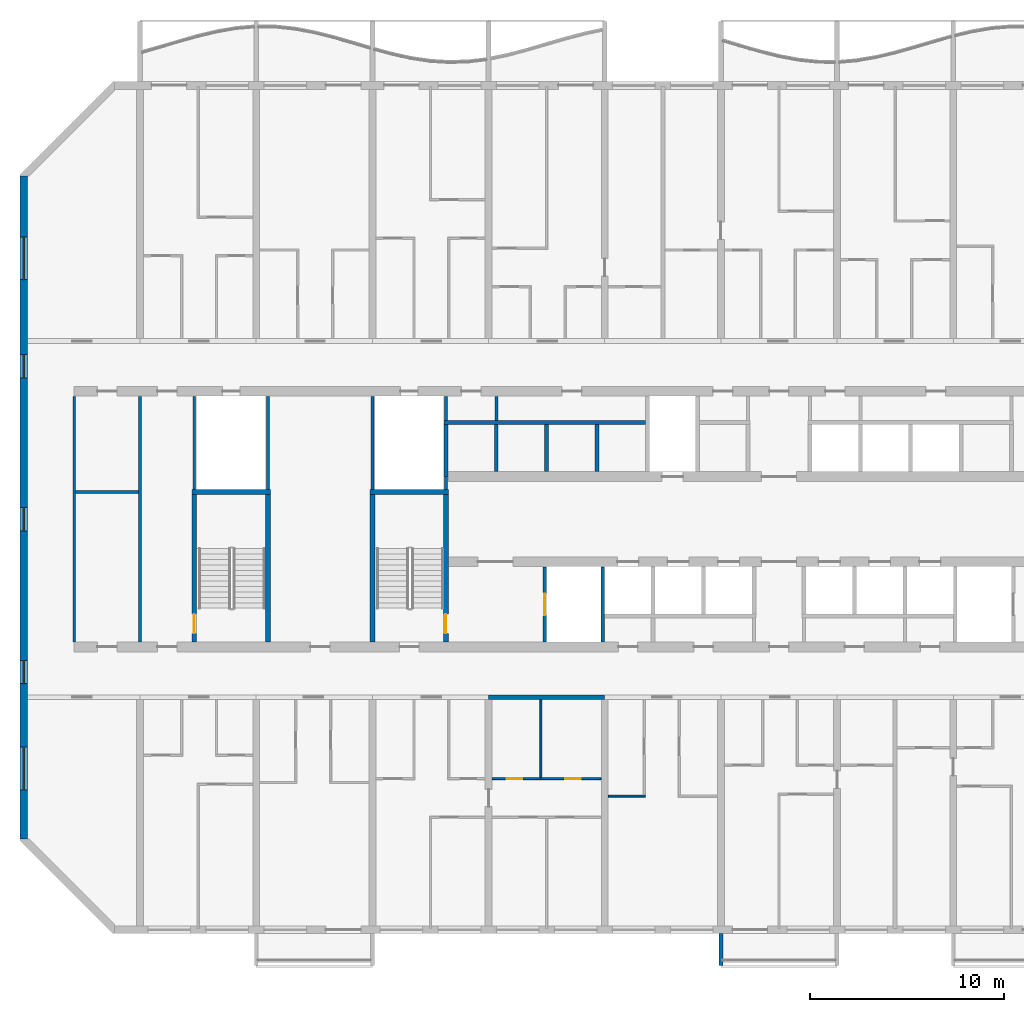
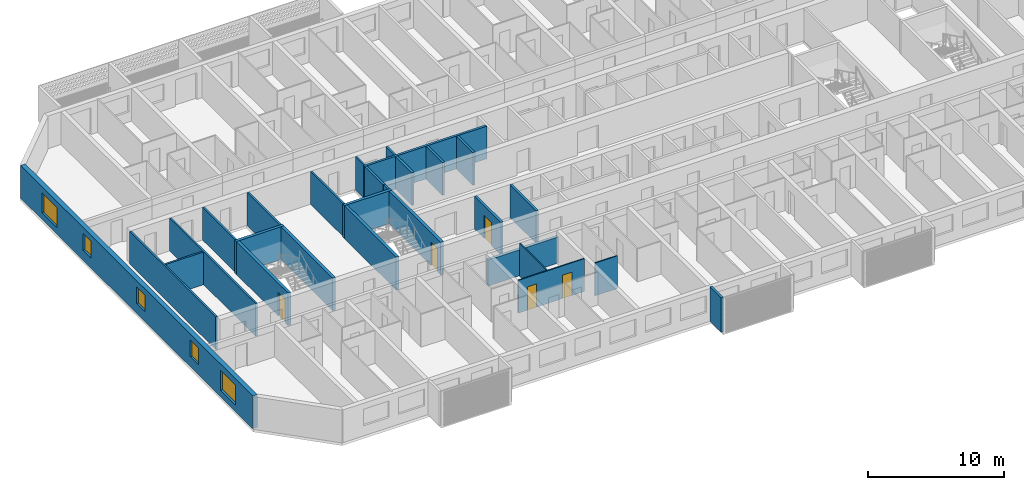
# One storey, part 3 of 24: 28 walls, 5 doors, 5 windows, 10 openings.
"""IFC4 building model written with IfcOpenShell, lengths in metres."""

from ifc_helpers import new_model, si_unit, direction, frame, frame_2d, origin, place, context, subcontext, project, spatial, polyline, rectangle, outline, extrude, source, transform, mapped, material, layer, layer_set, type_object, element, fill, save


model = new_model("IFC4")

# Units and contexts
model_context = context("Model", 3, precision=1e-05, world=origin(), true_north=direction((0.0, 1.0)))
body_context = subcontext(model_context, "Body", "Model", "MODEL_VIEW")
ifc_project = project(units=[si_unit("LENGTHUNIT", "METRE"), si_unit("AREAUNIT", "SQUARE_METRE"), si_unit("VOLUMEUNIT", "CUBIC_METRE"), si_unit("PLANEANGLEUNIT", "RADIAN"), si_unit("MASSUNIT", "GRAM", prefix="KILO")], contexts=[model_context])

# Site, building, storey
site_placement = place(None, origin())
site = spatial("IfcSite", under=ifc_project, at=site_placement, CompositionType="ELEMENT")
building_placement = place(site_placement, origin())
building = spatial("IfcBuilding", under=site, at=building_placement, Name="Poui Terraces", CompositionType="ELEMENT")
storey_placement = place(building_placement, frame((0.0, 0.0, 112.5)))
storey = spatial("IfcBuildingStorey", under=building, at=storey_placement, Name="L31", CompositionType="ELEMENT", Elevation=112.5)

# Walls
ifc_material_1 = material(Name="Fire-rated plasterboard wall")
ifc_layer_1 = layer(ifc_material_1, 0.14990234375)
ifc_layer_set_1 = layer_set([ifc_layer_1], Name="Fire-rated plasterboard wall")
wall_type_1 = type_object("IfcWallType", Name="CORRIDOR WALL 150", PredefinedType="PARTITIONING", material=ifc_layer_set_1)
for number, where, z_axis, x_axis, name in (
    (1, (14.60009765625, 14.860107421875, 0.0), (0.0, 0.0, 1.0), (0.0, 1.0, 0.0), "CORRIDOR WALL 150"),
    (2, (18.0, 14.860107421875, 0.0), (0.0, 0.0, 1.0), (0.0, 1.0, 0.0), "CORRIDOR WALL 150"),
):
    element("IfcWall", number, at=place(storey_placement, frame(where, z_axis=z_axis, x_axis=x_axis)), inside=storey, type_object=wall_type_1, Name=name, PredefinedType="PARTITIONING", context=body_context, shape_type="SweptSolid", body=[
        extrude(rectangle(XDim=12.679931640625, YDim=0.14990234375, at=frame_2d((6.33984375, 0.0))), origin(), (0.0, 0.0, 1.0), 2.949951171875),
    ])
ifc_material_2 = material(Name="Concrete 65 MPa", Category="concrete")
ifc_layer_2 = layer(ifc_material_2, 0.25)
ifc_layer_set_2 = layer_set([ifc_layer_2], Name="Concrete 65 MPa")
wall_type_2 = type_object("IfcWallType", Name="CORRIDOR WALL 250 65MPa", PredefinedType="SHEAR", material=ifc_layer_set_2)
wall_1_placement = place(storey_placement, frame((36.0, 12.0, 0.0), z_axis=(0.0, 0.0, 1.0), x_axis=(1.0, 0.0, 0.0)))
element("IfcWall", 3, at=wall_1_placement, inside=storey, type_object=wall_type_2, Name="CORRIDOR WALL LINE B BAY 5", PredefinedType="SHEAR", context=body_context, shape_type="SweptSolid", body=[
    extrude(rectangle(XDim=6.0, YDim=0.25, at=frame_2d((3.0, 0.0))), origin(), (0.0, 0.0, 1.0), 2.35009765625),
])

# Wall, openings, windows
ifc_layer_3 = layer(ifc_material_2, 0.39990234375)
ifc_layer_set_3 = layer_set([ifc_layer_3], Name="Concrete 65 MPa")
wall_type_3 = type_object("IfcWallType", Name="END WALL 400 65MPa", PredefinedType="SHEAR", material=ifc_layer_set_3)
wall_2_placement = place(storey_placement, frame((12.0, 4.682861328125, 0.0), z_axis=(0.0, 0.0, 1.0), x_axis=(0.0, 1.0, 0.0)))
wall_2 = element("IfcWall", 4, at=wall_2_placement, inside=storey, type_object=wall_type_3, Name="END WALL WEST", PredefinedType="SHEAR", context=body_context, shape_type="SweptSolid", body=[
    extrude(rectangle(XDim=34.234375, YDim=0.39990234375, at=frame_2d((17.1171875, 0.0))), origin(), (0.0, 0.0, 1.0), 2.949951171875),
])
opening_1_placement = place(wall_2_placement, frame((23.817138671875, 0.0, 0.89990234375)))
opening_1 = element("IfcOpeningElement", 5, at=opening_1_placement, cuts=wall_2, Name="Opening W2", PredefinedType="OPENING", context=body_context, shape_type="SweptSolid", body=[
    extrude(rectangle(XDim=1.199951171875, YDim=1.5, at=frame_2d((0.60009765625, 0.75))), frame((0.0, 0.2099609375, 0.0), z_axis=(0.0, -1.0, 0.0), x_axis=(1.0, 0.0, 0.0)), (0.0, 0.0, 1.0), 0.419921875),
])
opening_2_placement = place(wall_2_placement, frame((8.01708984375, 0.0, 0.89990234375)))
opening_2 = element("IfcOpeningElement", 6, at=opening_2_placement, cuts=wall_2, Name="Opening W2", PredefinedType="OPENING", context=body_context, shape_type="SweptSolid", body=[
    extrude(rectangle(XDim=1.199951171875, YDim=1.5, at=frame_2d((0.60009765625, 0.75))), frame((0.0, 0.2099609375, 0.0), z_axis=(0.0, -1.0, 0.0), x_axis=(1.0, 0.0, 0.0)), (0.0, 0.0, 1.0), 0.419921875),
])
opening_3_placement = place(wall_2_placement, frame((15.917236328125, 0.0, 0.89990234375)))
opening_3 = element("IfcOpeningElement", 7, at=opening_3_placement, cuts=wall_2, Name="Opening W2", PredefinedType="OPENING", context=body_context, shape_type="SweptSolid", body=[
    extrude(rectangle(XDim=1.199951171875, YDim=1.5, at=frame_2d((0.60009765625, 0.75))), frame((0.0, 0.2099609375, 0.0), z_axis=(0.0, -1.0, 0.0), x_axis=(1.0, 0.0, 0.0)), (0.0, 0.0, 1.0), 0.419921875),
])
opening_4_placement = place(wall_2_placement, frame((28.8935546875, 0.0, 0.60009765625)))
opening_4 = element("IfcOpeningElement", 8, at=opening_4_placement, cuts=wall_2, Name="Opening W3", PredefinedType="OPENING", context=body_context, shape_type="SweptSolid", body=[
    extrude(rectangle(XDim=2.199951171875, YDim=1.800048828125, at=frame_2d((1.10009765625, 0.89990234375))), frame((0.0, 0.2099609375, 0.0), z_axis=(0.0, -1.0, 0.0), x_axis=(1.0, 0.0, 0.0)), (0.0, 0.0, 1.0), 0.419921875),
])
opening_5_placement = place(wall_2_placement, frame((2.541015625, 0.0, 0.60009765625)))
opening_5 = element("IfcOpeningElement", 9, at=opening_5_placement, cuts=wall_2, Name="Opening W3", PredefinedType="OPENING", context=body_context, shape_type="SweptSolid", body=[
    extrude(rectangle(XDim=2.199951171875, YDim=1.800048828125, at=frame_2d((1.10009765625, 0.89990234375))), frame((0.0, 0.2099609375, 0.0), z_axis=(0.0, -1.0, 0.0), x_axis=(1.0, 0.0, 0.0)), (0.0, 0.0, 1.0), 0.419921875),
])
ifc_material_3 = material(Name="Clear glass in aluminium frame", Category="aluminium")
window_type_1 = type_object("IfcWindowType", Name="WINDOW 1200X1500", PartitioningType="SINGLE_PANEL", PredefinedType="WINDOW", material=ifc_material_3)
window_1_placement = place(opening_1_placement, origin())
window_1 = element("IfcWindow", 10, at=window_1_placement, inside=storey, type_object=window_type_1, Name="W2 WINDOW", OverallHeight=1.5, OverallWidth=1.199951171875, PartitioningType="SINGLE_PANEL", PredefinedType="WINDOW", context=body_context, shape_type="SweptSolid", body=[
    extrude(rectangle(XDim=1.199951171875, YDim=1.5, at=frame_2d((0.60009765625, 0.75))), frame((0.0, 0.030029296875, 0.0), z_axis=(0.0, -1.0, 0.0), x_axis=(1.0, 0.0, 0.0)), (0.0, 0.0, 1.0), 0.06005859375),
])
fill(opening_1, window_1)
window_2_placement = place(opening_2_placement, origin())
window_2 = element("IfcWindow", 11, at=window_2_placement, inside=storey, type_object=window_type_1, Name="W2 WINDOW", OverallHeight=1.5, OverallWidth=1.199951171875, PartitioningType="SINGLE_PANEL", PredefinedType="WINDOW", context=body_context, shape_type="SweptSolid", body=[
    extrude(rectangle(XDim=1.199951171875, YDim=1.5, at=frame_2d((0.60009765625, 0.75))), frame((0.0, 0.030029296875, 0.0), z_axis=(0.0, -1.0, 0.0), x_axis=(1.0, 0.0, 0.0)), (0.0, 0.0, 1.0), 0.06005859375),
])
fill(opening_2, window_2)
window_3_placement = place(opening_3_placement, origin())
window_3 = element("IfcWindow", 12, at=window_3_placement, inside=storey, type_object=window_type_1, Name="W2 WINDOW", OverallHeight=1.5, OverallWidth=1.199951171875, PartitioningType="SINGLE_PANEL", PredefinedType="WINDOW", context=body_context, shape_type="SweptSolid", body=[
    extrude(rectangle(XDim=1.199951171875, YDim=1.5, at=frame_2d((0.60009765625, 0.75))), frame((0.0, 0.030029296875, 0.0), z_axis=(0.0, -1.0, 0.0), x_axis=(1.0, 0.0, 0.0)), (0.0, 0.0, 1.0), 0.06005859375),
])
fill(opening_3, window_3)
window_type_2 = type_object("IfcWindowType", Name="WINDOW 2200X1800", PartitioningType="DOUBLE_PANEL_HORIZONTAL", PredefinedType="WINDOW", material=ifc_material_3)
window_4_placement = place(opening_4_placement, origin())
window_4 = element("IfcWindow", 13, at=window_4_placement, inside=storey, type_object=window_type_2, Name="W3 WINDOW", OverallHeight=1.800048828125, OverallWidth=2.199951171875, PartitioningType="DOUBLE_PANEL_HORIZONTAL", PredefinedType="WINDOW", context=body_context, shape_type="SweptSolid", body=[
    extrude(rectangle(XDim=2.199951171875, YDim=1.800048828125, at=frame_2d((1.10009765625, 0.89990234375))), frame((0.0, 0.030029296875, 0.0), z_axis=(0.0, -1.0, 0.0), x_axis=(1.0, 0.0, 0.0)), (0.0, 0.0, 1.0), 0.06005859375),
])
fill(opening_4, window_4)
window_5_placement = place(opening_5_placement, origin())
window_5 = element("IfcWindow", 14, at=window_5_placement, inside=storey, type_object=window_type_2, Name="W3 WINDOW", OverallHeight=1.800048828125, OverallWidth=2.199951171875, PartitioningType="DOUBLE_PANEL_HORIZONTAL", PredefinedType="WINDOW", context=body_context, shape_type="SweptSolid", body=[
    extrude(rectangle(XDim=2.199951171875, YDim=1.800048828125, at=frame_2d((1.10009765625, 0.89990234375))), frame((0.0, 0.030029296875, 0.0), z_axis=(0.0, -1.0, 0.0), x_axis=(1.0, 0.0, 0.0)), (0.0, 0.0, 1.0), 0.06005859375),
])
fill(opening_5, window_5)

# Wall
ifc_material_4 = material(Name="Plasterboard partition")
ifc_layer_4 = layer(ifc_material_4, 0.10009765625)
ifc_layer_set_4 = layer_set([ifc_layer_4], Name="Plasterboard partition")
wall_type_4 = type_object("IfcWallType", Name="FLAT PARTITION 100", PredefinedType="PARTITIONING", material=ifc_layer_set_4)
wall_3_placement = place(storey_placement, frame((42.18505859375, 6.89990234375, 0.0), z_axis=(0.0, 0.0, 1.0), x_axis=(1.0, 0.0, 0.0)))
element("IfcWall", 15, at=wall_3_placement, inside=storey, type_object=wall_type_4, Name="FLAT PARTITION 100", PredefinedType="PARTITIONING", context=body_context, shape_type="SweptSolid", body=[
    extrude(rectangle(XDim=1.9150390625, YDim=0.10009765625, at=frame_2d((0.95751953125, 0.0))), origin(), (0.0, 0.0, 1.0), 2.949951171875),
])

# Wall, openings, doors
wall_4_placement = place(storey_placement, frame((36.18505859375, 7.800048828125, 0.0), z_axis=(0.0, 0.0, 1.0), x_axis=(1.0, 0.0, 0.0)))
wall_4 = element("IfcWall", 16, at=wall_4_placement, inside=storey, type_object=wall_type_4, Name="FLAT PARTITION 100", PredefinedType="PARTITIONING", context=body_context, shape_type="SweptSolid", body=[
    extrude(rectangle(XDim=5.6298828125, YDim=0.10009765625, at=frame_2d((2.81494140625, 0.0))), origin(), (0.0, 0.0, 1.0), 2.949951171875),
])
opening_6_placement = place(wall_4_placement, frame((0.764892578125, 0.0, 0.0)))
opening_6 = element("IfcOpeningElement", 17, at=opening_6_placement, cuts=wall_4, Name="Opening D80", PredefinedType="OPENING", context=body_context, shape_type="SweptSolid", body=[
    extrude(rectangle(XDim=0.800048828125, YDim=2.10009765625, at=frame_2d((0.39990234375, 1.050048828125))), frame((0.0, 0.06005859375, 0.0), z_axis=(0.0, -1.0, 0.0), x_axis=(1.0, 0.0, 0.0)), (0.0, 0.0, 1.0), 0.1201171875),
])
opening_7_placement = place(wall_4_placement, frame((3.764892578125, 0.0, 0.0)))
opening_7 = element("IfcOpeningElement", 18, at=opening_7_placement, cuts=wall_4, Name="Opening D80", PredefinedType="OPENING", context=body_context, shape_type="SweptSolid", body=[
    extrude(rectangle(XDim=0.800048828125, YDim=2.10009765625, at=frame_2d((0.39990234375, 1.050048828125))), frame((0.0, 0.06005859375, 0.0), z_axis=(0.0, -1.0, 0.0), x_axis=(1.0, 0.0, 0.0)), (0.0, 0.0, 1.0), 0.1201171875),
])
ifc_material_5 = material(Name="Solid core timber door", Category="wood")
door_type_1 = type_object("IfcDoorType", Name="BATHROOM, LAUNDRY AND STORE DOOR 800 X 2100", OperationType="NOTDEFINED", PredefinedType="DOOR", material=ifc_material_5)
door_1_placement = place(opening_6_placement, origin())
door_1 = element("IfcDoor", 19, at=door_1_placement, inside=storey, type_object=door_type_1, Name="BATHROOM, LAUNDRY AND STORE DOOR 083", OperationType="SINGLE_SWING_RIGHT", OverallHeight=2.10009765625, OverallWidth=0.800048828125, PredefinedType="DOOR", context=body_context, shape_type="SweptSolid", body=[
    extrude(rectangle(XDim=0.800048828125, YDim=2.10009765625, at=frame_2d((0.39990234375, 1.050048828125))), frame((0.0, 0.02490234375, 0.0), z_axis=(0.0, -1.0, 0.0), x_axis=(1.0, 0.0, 0.0)), (0.0, 0.0, 1.0), 0.050048828125),
])
fill(opening_6, door_1)
door_2_placement = place(opening_7_placement, origin())
door_2 = element("IfcDoor", 20, at=door_2_placement, inside=storey, type_object=door_type_1, Name="BATHROOM, LAUNDRY AND STORE DOOR 086", OperationType="SINGLE_SWING_LEFT", OverallHeight=2.10009765625, OverallWidth=0.800048828125, PredefinedType="DOOR", context=body_context, shape_type="SweptSolid", body=[
    extrude(rectangle(XDim=0.800048828125, YDim=2.10009765625, at=frame_2d((0.39990234375, 1.050048828125))), frame((0.0, 0.02490234375, 0.0), z_axis=(0.0, -1.0, 0.0), x_axis=(1.0, 0.0, 0.0)), (0.0, 0.0, 1.0), 0.050048828125),
])
fill(opening_7, door_2)

# Walls
wall_5_placement = place(storey_placement, frame((38.699951171875, 7.85009765625, 0.0), z_axis=(0.0, 0.0, 1.0), x_axis=(0.0, 1.0, 0.0)))
element("IfcWall", 21, at=wall_5_placement, inside=storey, type_object=wall_type_4, Name="FLAT PARTITION 100", PredefinedType="PARTITIONING", context=body_context, shape_type="SweptSolid", body=[
    extrude(rectangle(XDim=4.014892578125, YDim=0.10009765625, at=frame_2d((2.00732421875, 0.0))), origin(), (0.0, 0.0, 1.0), 2.949951171875),
])
ifc_layer_5 = layer(ifc_material_4, 0.14990234375)
ifc_layer_set_5 = layer_set([ifc_layer_5], Name="Plasterboard partition")
wall_type_5 = type_object("IfcWallType", Name="PARTITION WALL 150", PredefinedType="PARTITIONING", material=ifc_layer_set_5)
wall_6_placement = place(storey_placement, frame((14.675048828125, 22.60009765625, 0.0), z_axis=(0.0, 0.0, 1.0), x_axis=(1.0, 0.0, 0.0)))
element("IfcWall", 22, at=wall_6_placement, inside=storey, type_object=wall_type_5, Name="PARTITION WALL 150", PredefinedType="PARTITIONING", context=body_context, shape_type="SweptSolid", body=[
    extrude(rectangle(XDim=3.25, YDim=0.14990234375, at=frame_2d((1.625, 0.0))), origin(), (0.0, 0.0, 1.0), 2.949951171875),
])
wall_7_placement = place(storey_placement, frame((36.39990234375, 26.300048828125, 0.0), z_axis=(0.0, 0.0, 1.0), x_axis=(0.0, 1.0, 0.0)))
element("IfcWall", 23, at=wall_7_placement, inside=storey, type_object=wall_type_5, Name="PARTITION WALL 150", PredefinedType="PARTITIONING", context=body_context, shape_type="SweptSolid", body=[
    extrude(rectangle(XDim=1.239990234375, YDim=0.14990234375, at=frame_2d((0.6201171875, 0.0))), origin(), (0.0, 0.0, 1.0), 2.949951171875),
])
ifc_material_6 = material(Name="Fire-rated plasterboard riser wall")
ifc_layer_6 = layer(ifc_material_6, 0.14990234375)
ifc_layer_set_6 = layer_set([ifc_layer_6], Name="Fire-rated plasterboard riser wall")
wall_type_6 = type_object("IfcWallType", Name="RISER WALL 150", PredefinedType="PARTITIONING", material=ifc_layer_set_6)
for number, where, z_axis, x_axis, name in (
    (24, (20.800048828125, 22.735107421875, 0.0), (0.0, 0.0, 1.0), (0.0, 1.0, 0.0), "RISER WALL 150"),
    (25, (24.60009765625, 22.735107421875, 0.0), (0.0, 0.0, 1.0), (0.0, 1.0, 0.0), "RISER WALL 150"),
    (26, (30.0, 22.735107421875, 0.0), (0.0, 0.0, 1.0), (0.0, 1.0, 0.0), "RISER WALL 150"),
):
    element("IfcWall", number, at=place(storey_placement, frame(where, z_axis=z_axis, x_axis=x_axis)), inside=storey, type_object=wall_type_6, Name=name, PredefinedType="PARTITIONING", context=body_context, shape_type="SweptSolid", body=[
        extrude(rectangle(XDim=4.804931640625, YDim=0.14990234375, at=frame_2d((2.40234375, 0.0))), origin(), (0.0, 0.0, 1.0), 2.949951171875),
    ])
wall_8_placement = place(storey_placement, frame((33.800048828125, 22.735107421875, 0.0), z_axis=(0.0, 0.0, 1.0), x_axis=(0.0, 1.0, 0.0)))
element("IfcWall", 27, at=wall_8_placement, inside=storey, type_object=wall_type_6, Name="RISER WALL 150", PredefinedType="PARTITIONING", context=body_context, shape_type="SweptSolid", body=[
    extrude(rectangle(XDim=0.664794921875, YDim=0.14990234375, at=frame_2d((0.33251953125, 0.0))), origin(), (0.0, 0.0, 1.0), 2.949951171875),
])
wall_9_placement = place(storey_placement, frame((33.800048828125, 26.300048828125, 0.0), z_axis=(0.0, 0.0, 1.0), x_axis=(0.0, 1.0, 0.0)))
element("IfcWall", 28, at=wall_9_placement, inside=storey, type_object=wall_type_6, Name="RISER WALL 150", PredefinedType="PARTITIONING", context=body_context, shape_type="SweptSolid", body=[
    extrude(rectangle(XDim=1.239990234375, YDim=0.14990234375, at=frame_2d((0.6201171875, 0.0))), origin(), (0.0, 0.0, 1.0), 2.949951171875),
])
ifc_material_7 = material(Name="Fire-rated masonry shaft wall", Category="masonry")
ifc_layer_7 = layer(ifc_material_7, 0.199951171875)
ifc_layer_set_7 = layer_set([ifc_layer_7], Name="Fire-rated masonry shaft wall")
wall_type_7 = type_object("IfcWallType", Name="SHAFT WALL 200", PredefinedType="PARTITIONING", material=ifc_layer_set_7)
wall_10_placement = place(storey_placement, frame((33.699951171875, 26.199951171875, 0.0), z_axis=(0.0, 0.0, 1.0), x_axis=(1.0, 0.0, 0.0)))
element("IfcWall", 29, at=wall_10_placement, inside=storey, type_object=wall_type_7, Name="SHAFT WALL 200", PredefinedType="PARTITIONING", context=body_context, shape_type="SweptSolid", body=[
    extrude(rectangle(XDim=10.400146484375, YDim=0.199951171875, at=frame_2d((5.2001953125, 0.0))), origin(), (0.0, 0.0, 1.0), 2.949951171875),
])
wall_11_placement = place(storey_placement, frame((33.800048828125, 23.39990234375, 0.0), z_axis=(0.0, 0.0, 1.0), x_axis=(0.0, 1.0, 0.0)))
element("IfcWall", 30, at=wall_11_placement, inside=storey, type_object=wall_type_7, Name="SHAFT WALL 200", PredefinedType="PARTITIONING", context=body_context, shape_type="SweptSolid", body=[
    extrude(rectangle(XDim=2.7001953125, YDim=0.199951171875, at=frame_2d((1.35009765625, 0.0))), origin(), (0.0, 0.0, 1.0), 2.949951171875),
])
wall_12_placement = place(storey_placement, frame((36.39990234375, 23.659912109375, 0.0), z_axis=(0.0, 0.0, 1.0), x_axis=(0.0, 1.0, 0.0)))
element("IfcWall", 31, at=wall_12_placement, inside=storey, type_object=wall_type_7, Name="SHAFT WALL 200", PredefinedType="PARTITIONING", context=body_context, shape_type="SweptSolid", body=[
    extrude(rectangle(XDim=2.440185546875, YDim=0.199951171875, at=frame_2d((1.22021484375, 0.0))), origin(), (0.0, 0.0, 1.0), 2.949951171875),
])

# Wall, opening, door
wall_13_placement = place(storey_placement, frame((38.89990234375, 14.860107421875, 0.0), z_axis=(0.0, 0.0, 1.0), x_axis=(0.0, 1.0, 0.0)))
wall_13 = element("IfcWall", 32, at=wall_13_placement, inside=storey, type_object=wall_type_7, Name="SHAFT WALL 200", PredefinedType="PARTITIONING", context=body_context, shape_type="SweptSolid", body=[
    extrude(rectangle(XDim=3.8798828125, YDim=0.199951171875, at=frame_2d((1.93994140625, 0.0))), origin(), (0.0, 0.0, 1.0), 2.949951171875),
])
opening_8_placement = place(wall_13_placement, frame((1.389892578125, 0.0, 0.0)))
opening_8 = element("IfcOpeningElement", 33, at=opening_8_placement, cuts=wall_13, Name="Opening LD", PredefinedType="OPENING", context=body_context, shape_type="SweptSolid", body=[
    extrude(rectangle(XDim=1.10009765625, YDim=2.10009765625, at=frame_2d((0.550048828125, 1.050048828125))), frame((0.0, 0.10986328125, 0.0), z_axis=(0.0, -1.0, 0.0), x_axis=(1.0, 0.0, 0.0)), (0.0, 0.0, 1.0), 0.219970703125),
])
ifc_material_8 = material(Name="Stainless steel sliding door", Category="steel")
door_type_2 = type_object("IfcDoorType", Name="LIFT LANDING DOOR 1100 X 2100", OperationType="DOUBLE_DOOR_SLIDING", PredefinedType="DOOR", material=ifc_material_8)
door_3_placement = place(opening_8_placement, origin())
door_3 = element("IfcDoor", 34, at=door_3_placement, inside=storey, type_object=door_type_2, Name="LANDING DOOR", OperationType="DOUBLE_DOOR_SLIDING", OverallHeight=2.10009765625, OverallWidth=1.10009765625, PredefinedType="DOOR", context=body_context, shape_type="SweptSolid", body=[
    extrude(rectangle(XDim=1.10009765625, YDim=2.10009765625, at=frame_2d((0.550048828125, 1.050048828125))), frame((0.0, 0.02490234375, 0.0), z_axis=(0.0, -1.0, 0.0), x_axis=(1.0, 0.0, 0.0)), (0.0, 0.0, 1.0), 0.050048828125),
])
fill(opening_8, door_3)

# Walls
for number, where, z_axis, x_axis, name in (
    (35, (39.0, 23.659912109375, 0.0), (0.0, 0.0, 1.0), (0.0, 1.0, 0.0), "SHAFT WALL 200"),
    (36, (41.60009765625, 23.659912109375, 0.0), (0.0, 0.0, 1.0), (0.0, 1.0, 0.0), "SHAFT WALL 200"),
):
    element("IfcWall", number, at=place(storey_placement, frame(where, z_axis=z_axis, x_axis=x_axis)), inside=storey, type_object=wall_type_7, Name=name, PredefinedType="PARTITIONING", context=body_context, shape_type="SweptSolid", body=[
        extrude(rectangle(XDim=2.440185546875, YDim=0.199951171875, at=frame_2d((1.22021484375, 0.0))), origin(), (0.0, 0.0, 1.0), 2.949951171875),
    ])
wall_14_placement = place(storey_placement, frame((41.89990234375, 14.860107421875, 0.0), z_axis=(0.0, 0.0, 1.0), x_axis=(0.0, 1.0, 0.0)))
element("IfcWall", 37, at=wall_14_placement, inside=storey, type_object=wall_type_7, Name="SHAFT WALL 200", PredefinedType="PARTITIONING", context=body_context, shape_type="SweptSolid", body=[
    extrude(rectangle(XDim=3.8798828125, YDim=0.199951171875, at=frame_2d((1.93994140625, 0.0))), origin(), (0.0, 0.0, 1.0), 2.949951171875),
])
ifc_layer_8 = layer(ifc_material_2, 0.25)
ifc_layer_set_8 = layer_set([ifc_layer_8], Name="Concrete 65 MPa")
wall_type_8 = type_object("IfcWallType", Name="STAIR CORE WALL 250 65 MPA", PredefinedType="SOLIDWALL", material=ifc_layer_set_8)
wall_15_placement = place(storey_placement, frame((30.0, 14.85009765625, 0.0), z_axis=(0.0, 0.0, 1.0), x_axis=(0.0, 1.0, 0.0)))
element("IfcWall", 38, at=wall_15_placement, inside=storey, type_object=wall_type_8, Name="STAIR CORE WALL", PredefinedType="SOLIDWALL", context=body_context, shape_type="SweptSolid", body=[
    extrude(rectangle(XDim=7.625, YDim=0.25, at=frame_2d((3.8125, 0.0))), origin(), (0.0, 0.0, 1.0), 2.949951171875),
])

# Wall, opening, door
wall_16_placement = place(storey_placement, frame((33.800048828125, 14.85009765625, 0.0), z_axis=(0.0, 0.0, 1.0), x_axis=(0.0, 1.0, 0.0)))
wall_16 = element("IfcWall", 39, at=wall_16_placement, inside=storey, type_object=wall_type_8, Name="STAIR CORE WALL", PredefinedType="SOLIDWALL", context=body_context, shape_type="SweptSolid", body=[
    extrude(rectangle(XDim=7.625, YDim=0.25, at=frame_2d((3.8125, 0.0))), origin(), (0.0, 0.0, 1.0), 2.949951171875),
])
opening_9_placement = place(wall_16_placement, frame((0.449951171875, 0.0, 0.0)))
opening_9 = element("IfcOpeningElement", 40, at=opening_9_placement, cuts=wall_16, Name="Opening FD60S", PredefinedType="OPENING", context=body_context, shape_type="SweptSolid", body=[
    extrude(rectangle(XDim=1.0, YDim=2.10009765625, at=frame_2d((0.5, 1.050048828125))), frame((0.0, 0.135009765625, 0.0), z_axis=(0.0, -1.0, 0.0), x_axis=(1.0, 0.0, 0.0)), (0.0, 0.0, 1.0), 0.27001953125),
])
ifc_material_9 = material(Name="Steel fire door", Category="steel")
door_type_3 = type_object("IfcDoorType", Name="STAIR DOOR 1000 X 2100", OperationType="NOTDEFINED", PredefinedType="DOOR", material=ifc_material_9)
door_4_placement = place(opening_9_placement, origin())
door_4 = element("IfcDoor", 41, at=door_4_placement, inside=storey, type_object=door_type_3, Name="STAIR DOOR 122", OperationType="SINGLE_SWING_LEFT", OverallHeight=2.10009765625, OverallWidth=1.0, PredefinedType="DOOR", context=body_context, shape_type="SweptSolid", body=[
    extrude(rectangle(XDim=1.0, YDim=2.10009765625, at=frame_2d((0.5, 1.050048828125))), frame((0.0, 0.02490234375, 0.0), z_axis=(0.0, -1.0, 0.0), x_axis=(1.0, 0.0, 0.0)), (0.0, 0.0, 1.0), 0.050048828125),
])
fill(opening_9, door_4)

# Wall
wall_17_placement = place(storey_placement, frame((29.875, 22.60009765625, 0.0), z_axis=(0.0, 0.0, 1.0), x_axis=(1.0, 0.0, 0.0)))
element("IfcWall", 42, at=wall_17_placement, inside=storey, type_object=wall_type_8, Name="STAIR CORE WALL", PredefinedType="SOLIDWALL", context=body_context, shape_type="SweptSolid", body=[
    extrude(rectangle(XDim=4.050048828125, YDim=0.25, at=frame_2d((2.02490234375, 0.0))), origin(), (0.0, 0.0, 1.0), 2.949951171875),
])

# Wall, opening, door
wall_18_placement = place(storey_placement, frame((20.800048828125, 14.85009765625, 0.0), z_axis=(0.0, 0.0, 1.0), x_axis=(0.0, 1.0, 0.0)))
wall_18 = element("IfcWall", 43, at=wall_18_placement, inside=storey, type_object=wall_type_8, Name="STAIR CORE WALL", PredefinedType="SOLIDWALL", context=body_context, shape_type="SweptSolid", body=[
    extrude(rectangle(XDim=7.625, YDim=0.25, at=frame_2d((3.8125, 0.0))), origin(), (0.0, 0.0, 1.0), 2.949951171875),
])
opening_10_placement = place(wall_18_placement, frame((0.449951171875, 0.0, 0.0)))
opening_10 = element("IfcOpeningElement", 44, at=opening_10_placement, cuts=wall_18, Name="Opening FD60S", PredefinedType="OPENING", context=body_context, shape_type="SweptSolid", body=[
    extrude(rectangle(XDim=1.0, YDim=2.10009765625, at=frame_2d((0.5, 1.050048828125))), frame((0.0, 0.135009765625, 0.0), z_axis=(0.0, -1.0, 0.0), x_axis=(1.0, 0.0, 0.0)), (0.0, 0.0, 1.0), 0.27001953125),
])
door_5_placement = place(opening_10_placement, frame((1.0, 0.0, 0.0), z_axis=(0.0, 0.0, 1.0), x_axis=(-1.0, 0.0, 0.0)))
door_5 = element("IfcDoor", 45, at=door_5_placement, inside=storey, type_object=door_type_3, Name="STAIR DOOR 136", OperationType="SINGLE_SWING_RIGHT", OverallHeight=2.10009765625, OverallWidth=1.0, PredefinedType="DOOR", context=body_context, shape_type="SweptSolid", body=[
    extrude(rectangle(XDim=1.0, YDim=2.10009765625, at=frame_2d((0.5, 1.050048828125))), frame((0.0, 0.02490234375, 0.0), z_axis=(0.0, -1.0, 0.0), x_axis=(1.0, 0.0, 0.0)), (0.0, 0.0, 1.0), 0.050048828125),
])
fill(opening_10, door_5)

# Walls
wall_19_placement = place(storey_placement, frame((24.60009765625, 14.85009765625, 0.0), z_axis=(0.0, 0.0, 1.0), x_axis=(0.0, 1.0, 0.0)))
element("IfcWall", 46, at=wall_19_placement, inside=storey, type_object=wall_type_8, Name="STAIR CORE WALL", PredefinedType="SOLIDWALL", context=body_context, shape_type="SweptSolid", body=[
    extrude(rectangle(XDim=7.625, YDim=0.25, at=frame_2d((3.8125, 0.0))), origin(), (0.0, 0.0, 1.0), 2.949951171875),
])
wall_20_placement = place(storey_placement, frame((20.675048828125, 22.60009765625, 0.0), z_axis=(0.0, 0.0, 1.0), x_axis=(1.0, 0.0, 0.0)))
element("IfcWall", 47, at=wall_20_placement, inside=storey, type_object=wall_type_8, Name="STAIR CORE WALL", PredefinedType="SOLIDWALL", context=body_context, shape_type="SweptSolid", body=[
    extrude(rectangle(XDim=4.050048828125, YDim=0.25, at=frame_2d((2.02490234375, 0.0))), origin(), (0.0, 0.0, 1.0), 2.949951171875),
])
ifc_material_10 = material(Name="Precast concrete 40 MPa", Category="concrete")
ifc_layer_9 = layer(ifc_material_10, 0.199951171875)
ifc_layer_set_9 = layer_set([ifc_layer_9], Name="Precast concrete 40 MPa")
wall_type_9 = type_object("IfcWallType", Name="REAR FIN 200", PredefinedType="STANDARD", material=ifc_layer_set_9)
shared_shape = source(origin(), body_context, "Body", "SweptSolid", [
    extrude(outline(polyline([(0.0, 0.0), (0.2001953125, 0.0), (0.2001953125, 1.650146484375), (0.0, 1.650146484375), (0.0, 0.0)])), origin(), (0.0, 0.0, 1.0), 3.10009765625),
])
wall_21_placement = place(storey_placement, frame((47.89990234375, -1.85009765625, 0.0)))
element("IfcWall", 48, at=wall_21_placement, inside=storey, type_object=wall_type_9, Name="REAR FIN", PredefinedType="STANDARD", context=body_context, shape_type="MappedRepresentation", body=[
    mapped(shared_shape, transform((0.0, 0.0, 0.0))),
])

save(model, "model.ifc")
